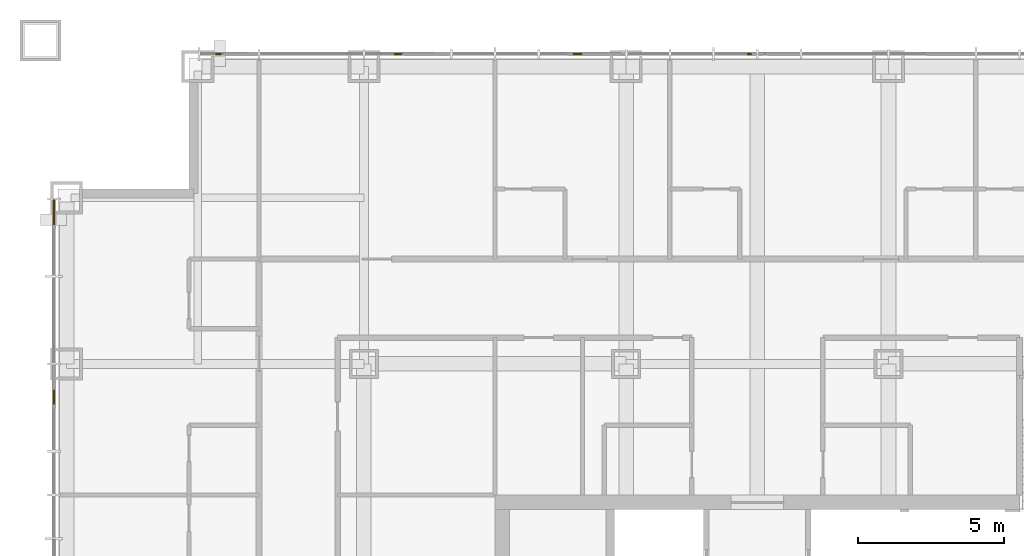
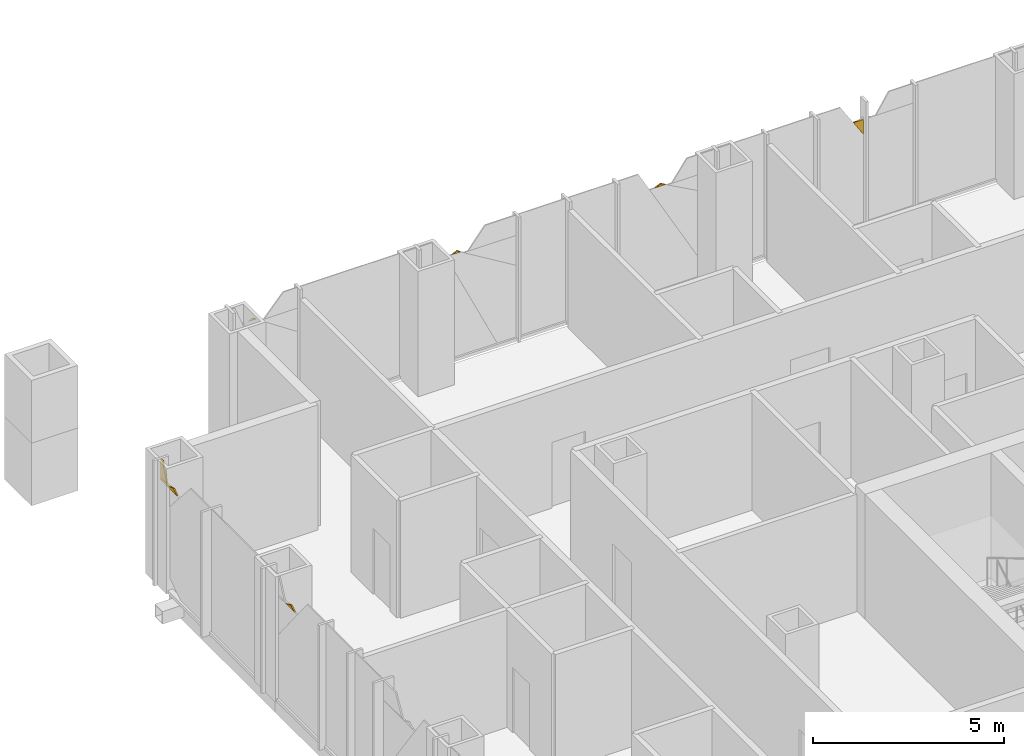
# One storey, part 21 of 23: 8 coverings.
"""IFC4 building model written with IfcOpenShell, lengths in metres."""

from ifc_helpers import new_model, si_unit, direction, frame, origin, place, context, subcontext, project, spatial, polyline, outline, extrude, material, layer, layer_set, type_object, element, save


model = new_model("IFC4")

# Units and contexts
model_context = context("Model", 3, precision=1e-05, world=origin(), true_north=direction((0.0, 1.0)))
body_context = subcontext(model_context, "Body", "Model", "MODEL_VIEW")
ifc_project = project(units=[si_unit("LENGTHUNIT", "METRE"), si_unit("AREAUNIT", "SQUARE_METRE"), si_unit("VOLUMEUNIT", "CUBIC_METRE"), si_unit("PLANEANGLEUNIT", "RADIAN"), si_unit("MASSUNIT", "GRAM", prefix="KILO")], contexts=[model_context])

# Site, building, storey
site_placement = place(None, origin())
site = spatial("IfcSite", under=ifc_project, at=site_placement, CompositionType="ELEMENT")
building_placement = place(site_placement, origin())
building = spatial("IfcBuilding", under=site, at=building_placement, Name="Malebo Sky Hospital", CompositionType="ELEMENT")
storey_placement = place(building_placement, frame((0.0, 0.0, 168.0)))
storey = spatial("IfcBuildingStorey", under=building, at=storey_placement, Name="L40", CompositionType="ELEMENT", Elevation=168.0)

# Coverings
ifc_material = material(Name="Anodised aluminium, natural silver insulated infill panel", Category="aluminium")
ifc_layer = layer(ifc_material, 0.0400390625)
ifc_layer_set = layer_set([ifc_layer], Name="BRACE INFILL PANEL 40")
covering_type = type_object("IfcCoveringType", Name="BRACE INFILL PANEL 40", PredefinedType="CLADDING", material=ifc_layer_set)
covering_1_placement = place(storey_placement, frame((41.5087890625, 86.135009765625, 3.413330078125), z_axis=(0.0, 0.0, 1.0), x_axis=(1.0, 0.0, 0.0)))
element("IfcCovering", 1, at=covering_1_placement, inside=storey, type_object=covering_type, Name="Brace infill panel 1.4", PredefinedType="CLADDING", context=body_context, shape_type="SweptSolid", body=[
    extrude(outline(polyline([(-0.100341796875, 0.0), (0.10009765625, 0.0), (0.031982421875, 0.04541015625), (-0.100341796875, 0.0)])), frame((0.0, 0.02001953125, 0.0), z_axis=(0.0, -1.0, 0.0), x_axis=(1.0, 0.0, 0.0)), (0.0, 0.0, 1.0), 0.0400390625),
])
covering_2_placement = place(storey_placement, frame((47.665283203125, 86.135009765625, 3.3974609375), z_axis=(0.0, 0.0, 1.0), x_axis=(1.0, 0.0, 0.0)))
element("IfcCovering", 2, at=covering_2_placement, inside=storey, type_object=covering_type, Name="Brace infill panel 3.4", PredefinedType="CLADDING", context=body_context, shape_type="SweptSolid", body=[
    extrude(outline(polyline([(-0.12841796875, 0.0), (0.12841796875, 0.0), (0.028076171875, 0.060791015625), (-0.12841796875, 0.0)])), frame((0.0, 0.02001953125, 0.0), z_axis=(0.0, -1.0, 0.0), x_axis=(1.0, 0.0, 0.0)), (0.0, 0.0, 1.0), 0.0400390625),
])
covering_3_placement = place(storey_placement, frame((53.829345703125, 86.135009765625, 3.38232421875), z_axis=(0.0, 0.0, 1.0), x_axis=(1.0, 0.0, 0.0)))
element("IfcCovering", 3, at=covering_3_placement, inside=storey, type_object=covering_type, Name="Brace infill panel 6.4", PredefinedType="CLADDING", context=body_context, shape_type="SweptSolid", body=[
    extrude(outline(polyline([(-0.1552734375, 0.0), (0.1552734375, 0.0), (0.017333984375, 0.07568359375), (-0.1552734375, 0.0)])), frame((0.0, 0.02001953125, 0.0), z_axis=(0.0, -1.0, 0.0), x_axis=(1.0, 0.0, 0.0)), (0.0, 0.0, 1.0), 0.0400390625),
])
covering_4_placement = place(storey_placement, frame((59.81201171875, 86.135009765625, 2.8935546875), z_axis=(0.0, 0.0, 1.0), x_axis=(1.0, 0.0, 0.0)))
element("IfcCovering", 4, at=covering_4_placement, inside=storey, type_object=covering_type, Name="Brace infill panel 9.1", PredefinedType="CLADDING", context=body_context, shape_type="SweptSolid", body=[
    extrude(outline(polyline([(0.150390625, 0.0), (0.150390625, 0.474365234375), (-0.150390625, 0.474365234375), (0.150390625, 0.0)])), frame((0.0, 0.02001953125, 0.0), z_axis=(0.0, -1.0, 0.0), x_axis=(1.0, 0.0, 0.0)), (0.0, 0.0, 1.0), 0.0400390625),
])
covering_5_placement = place(storey_placement, frame((35.864990234375, 74.360595703125, 3.342041015625), z_axis=(0.0, 0.0, 1.0), x_axis=(0.0, 1.0, 0.0)))
element("IfcCovering", 5, at=covering_5_placement, inside=storey, type_object=covering_type, Name="Brace infill panel 15.3", PredefinedType="CLADDING", context=body_context, shape_type="SweptSolid", body=[
    extrude(outline(polyline([(-0.245849609375, 0.0), (0.245849609375, 0.0), (-0.053955078125, 0.1162109375), (-0.245849609375, 0.0)])), frame((0.0, 0.02001953125, 0.0), z_axis=(0.0, -1.0, 0.0), x_axis=(1.0, 0.0, 0.0)), (0.0, 0.0, 1.0), 0.0400390625),
])
covering_6_placement = place(storey_placement, frame((35.864990234375, 80.550048828125, 3.3310546875), z_axis=(0.0, 0.0, 1.0), x_axis=(0.0, 1.0, 0.0)))
element("IfcCovering", 6, at=covering_6_placement, inside=storey, type_object=covering_type, Name="Brace infill panel 17.2", PredefinedType="CLADDING", context=body_context, shape_type="SweptSolid", body=[
    extrude(outline(polyline([(-0.283203125, 0.0), (0.283203125, 0.0), (-0.0908203125, 0.127685546875), (-0.283203125, 0.0)])), frame((0.0, 0.02001953125, 0.0), z_axis=(0.0, -1.0, 0.0), x_axis=(1.0, 0.0, 0.0)), (0.0, 0.0, 1.0), 0.0400390625),
])
covering_7_placement = place(storey_placement, frame((35.864990234375, 80.858154296875, 3.330810546875), z_axis=(0.0, 0.0, 1.0), x_axis=(0.0, 1.0, 0.0)))
element("IfcCovering", 7, at=covering_7_placement, inside=storey, type_object=covering_type, Name="Brace infill panel 17.3", PredefinedType="CLADDING", context=body_context, shape_type="SweptSolid", body=[
    extrude(outline(polyline([(-0.025146484375, 0.0), (0.2666015625, 0.0), (0.2666015625, 0.08251953125), (-0.2666015625, 0.08251953125), (-0.025146484375, 0.0)])), frame((0.0, 0.02001953125, 0.0), z_axis=(0.0, -1.0, 0.0), x_axis=(1.0, 0.0, 0.0)), (0.0, 0.0, 1.0), 0.0400390625),
])
covering_8_placement = place(storey_placement, frame((35.864990234375, 80.964599609375, 3.413330078125), z_axis=(0.0, 0.0, 1.0), x_axis=(0.0, 1.0, 0.0)))
element("IfcCovering", 8, at=covering_8_placement, inside=storey, type_object=covering_type, Name="Brace infill panel 17.4", PredefinedType="CLADDING", context=body_context, shape_type="SweptSolid", body=[
    extrude(outline(polyline([(-0.160400390625, 0.0), (0.160400390625, 0.0), (0.160400390625, 0.57666015625), (0.06298828125, 0.57666015625), (-0.160400390625, 0.0)])), frame((0.0, 0.02001953125, 0.0), z_axis=(0.0, -1.0, 0.0), x_axis=(1.0, 0.0, 0.0)), (0.0, 0.0, 1.0), 0.0400390625),
])

save(model, "model.ifc")
